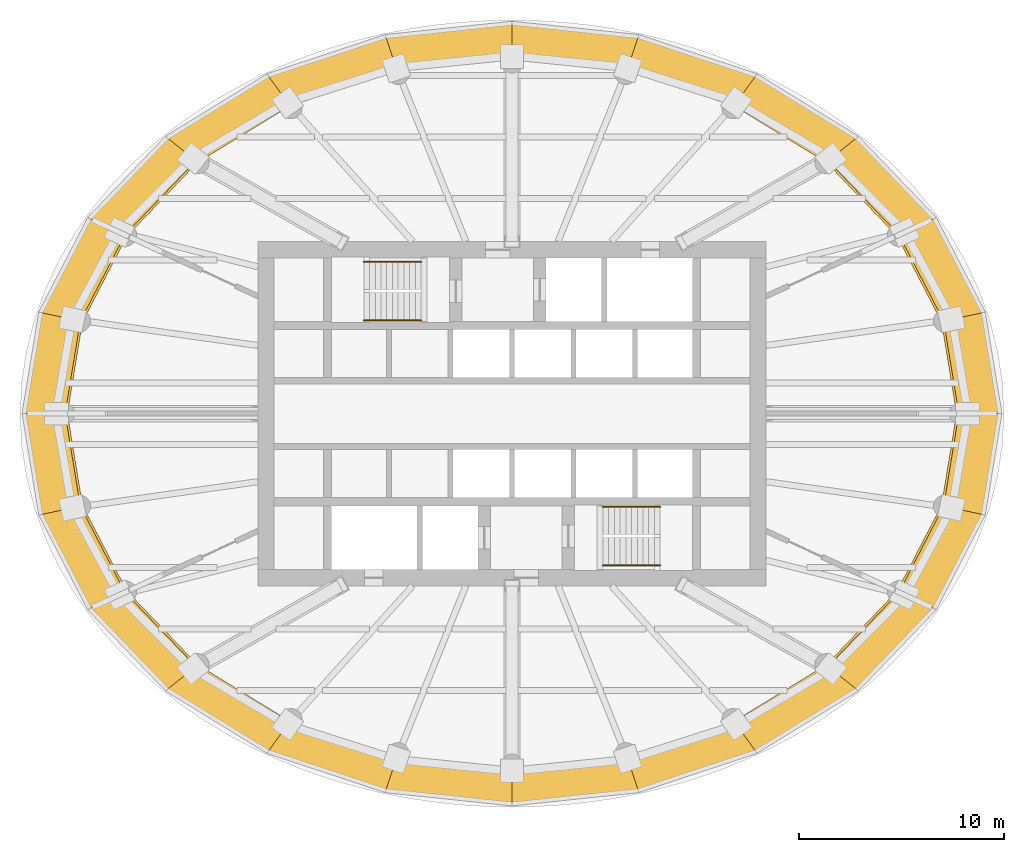
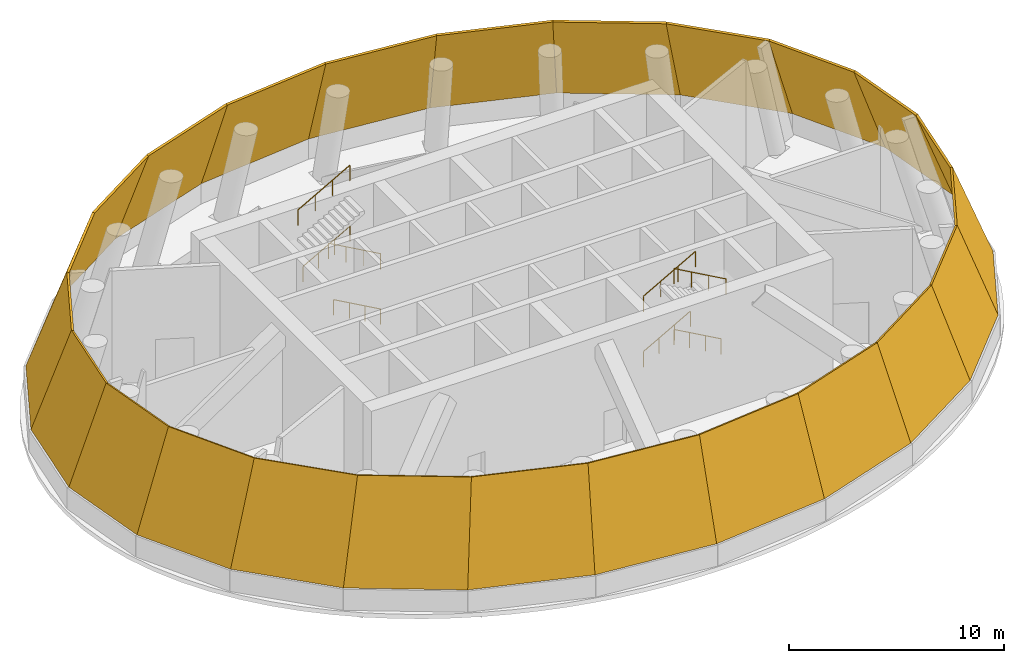
# One storey, part 6 of 6: 24 shading devices, 8 railings.
"""IFC4 building model written with IfcOpenShell, lengths in metres."""

import ifcopenshell
import ifcopenshell.guid

model = None  # the IFC model being written
_history = None  # IfcOwnerHistory: only IFC2X3 demands one
_inside = {}  # id of a spatial element -> (the spatial element, [elements in it])
_under = {}  # id of a project, library or spatial element -> (it, [spatial elements below it])
_declared = {}  # id of a project -> (the project, [libraries it declares])
_typed = {}  # id of a type object -> (the type object, [elements of that type])
_made_of = {}  # id of a material, layer set ... -> (it, [elements and type objects made of it])


def new_model(schema):
    """Start an empty IFC model of exactly this schema.

    Asked for "IFC4X3", IfcOpenShell would pick the latest addendum, in which some entities
    have other attributes; the version numbers below select the first issue.
    IFC2X3 requires an IfcOwnerHistory on every rooted entity: one is made here for all.
    """
    global model, _history
    if schema == "IFC4X3":
        model = ifcopenshell.file(schema_version=(4, 3, 0, 0))
    else:
        model = ifcopenshell.file(schema=schema)
    _inside.clear()
    _under.clear()
    _declared.clear()
    _typed.clear()
    _made_of.clear()
    _history = None
    if model.schema == "IFC2X3":
        org = make("IfcOrganization", Name="unknown")
        user = make(
            "IfcPersonAndOrganization",
            ThePerson=make("IfcPerson", FamilyName="unknown"),
            TheOrganization=org,
        )
        app = make(
            "IfcApplication",
            ApplicationDeveloper=org,
            Version="unknown",
            ApplicationFullName="unknown",
            ApplicationIdentifier="unknown",
        )
        _history = make(
            "IfcOwnerHistory",
            OwningUser=user,
            OwningApplication=app,
            ChangeAction="ADDED",
            CreationDate=0,
        )
    return model


def make(cls, **values):
    """One entity of the class cls with the attributes given. An attribute that is None is left unset."""
    return model.create_entity(
        cls, **{name: value for name, value in values.items() if value is not None}
    )


def rooted(cls, **values):
    """An entity with a GlobalId (a new one), such as an element, a storey or a relation."""
    return make(cls, GlobalId=ifcopenshell.guid.new(), OwnerHistory=_history, **values)


def si_unit(unit_type, name, prefix=None):
    """IfcSIUnit, for example si_unit("LENGTHUNIT", "METRE", prefix="MILLI")."""
    return make("IfcSIUnit", UnitType=unit_type, Prefix=prefix, Name=name)


def assignment(units):
    """IfcUnitAssignment: the units of a project."""
    return None if units is None else make("IfcUnitAssignment", Units=units)


def point(xyz):
    """IfcCartesianPoint."""
    return None if xyz is None else make("IfcCartesianPoint", Coordinates=xyz)


def direction(xyz):
    """IfcDirection."""
    return None if xyz is None else make("IfcDirection", DirectionRatios=xyz)


def frame(location, z_axis=None, x_axis=None):
    """IfcAxis2Placement3D, a coordinate frame: its origin and axes. An axis left out is left unset."""
    return make(
        "IfcAxis2Placement3D",
        Location=point(location),
        Axis=direction(z_axis),
        RefDirection=direction(x_axis),
    )


def frame_2d(location, x_axis=None):
    """IfcAxis2Placement2D, a coordinate frame in the plane: its origin and x axis."""
    return make(
        "IfcAxis2Placement2D", Location=point(location), RefDirection=direction(x_axis)
    )


def origin():
    """The frame at (0, 0, 0) with its axes left unset."""
    return frame((0.0, 0.0, 0.0))


def origin_2d():
    """The frame at (0, 0) in the plane with its x axis left unset."""
    return frame_2d((0.0, 0.0))


def place(relative_to, where):
    """IfcLocalPlacement: puts the frame where relative to a parent placement (None: the world)."""
    return make(
        "IfcLocalPlacement", PlacementRelTo=relative_to, RelativePlacement=where
    )


def context(
    kind, dimensions, precision=None, world=None, true_north=None, identifier=None
):
    """IfcGeometricRepresentationContext, for example the 3D "Model" context."""
    return make(
        "IfcGeometricRepresentationContext",
        ContextIdentifier=identifier,
        ContextType=kind,
        CoordinateSpaceDimension=dimensions,
        Precision=precision,
        WorldCoordinateSystem=world,
        TrueNorth=true_north,
    )


def subcontext(parent, identifier, kind, view, scale=None):
    """IfcGeometricRepresentationSubContext, for example "Body" below "Model"."""
    return make(
        "IfcGeometricRepresentationSubContext",
        ContextIdentifier=identifier,
        ContextType=kind,
        ParentContext=parent,
        TargetScale=scale,
        TargetView=view,
    )


def project(units=None, contexts=None):
    """IfcProject with its units and contexts."""
    return rooted(
        "IfcProject",
        Name="project",
        RepresentationContexts=contexts,
        UnitsInContext=assignment(units),
    )


def spatial(cls, under=None, at=None, **own):
    """A site, building, storey or space (cls), placed at a placement, below another one or the project."""
    s = rooted(cls, ObjectPlacement=at, **own)
    if under is not None:
        _under.setdefault(under.id(), (under, []))[1].append(s)
    return s


def polyline(points):
    """IfcPolyline through the points."""
    return make("IfcPolyline", Points=[point(p) for p in points])


def profile(cls, at=None, kind="AREA", **sizes):
    """A parametric profile (cls). Its sizes go by their IFC names, for example OverallWidth=200.0."""
    return make(cls, ProfileType=kind, Position=at, **sizes)


def circle(**sizes):
    """IfcCircleProfileDef."""
    return profile("IfcCircleProfileDef", **sizes)


def outline(outer, holes=None, kind="AREA"):
    """IfcArbitraryClosedProfileDef: a profile drawn as a closed curve; with holes, ...WithVoids."""
    if holes is None:
        return make("IfcArbitraryClosedProfileDef", ProfileType=kind, OuterCurve=outer)
    return make(
        "IfcArbitraryProfileDefWithVoids",
        ProfileType=kind,
        OuterCurve=outer,
        InnerCurves=holes,
    )


def extrude(swept, where, along, depth):
    """IfcExtrudedAreaSolid: the profile swept, set in the frame where, extruded along a direction by depth."""
    return make(
        "IfcExtrudedAreaSolid",
        SweptArea=swept,
        Position=where,
        ExtrudedDirection=direction(along),
        Depth=depth,
    )


def shape(context_of_items, identifier, shape_type, items):
    """IfcShapeRepresentation: the items that make up one representation, for example the "Body"."""
    return make(
        "IfcShapeRepresentation",
        ContextOfItems=context_of_items,
        RepresentationIdentifier=identifier,
        RepresentationType=shape_type,
        Items=items,
    )


def material(Name=None, Category=None):
    """IfcMaterial."""
    return make("IfcMaterial", Name=Name, Category=Category)


def layer(
    of_material, thickness, ventilated=None, Name=None, Category=None, Priority=None
):
    """IfcMaterialLayer: one layer of a wall or slab, of a material (None: an air gap)."""
    return make(
        "IfcMaterialLayer",
        Material=of_material,
        LayerThickness=thickness,
        IsVentilated=ventilated,
        Name=Name,
        Category=Category,
        Priority=Priority,
    )


def layer_set(layers, Name=None):
    """IfcMaterialLayerSet."""
    return make("IfcMaterialLayerSet", MaterialLayers=layers, LayerSetName=Name)


def made_of(thing, what):
    """Note that an element or type object is made of a material, layer set ...; save() writes the relation."""
    if what is not None:
        _made_of.setdefault(what.id(), (what, []))[1].append(thing)
    return thing


def type_object(cls, material=None, **own):
    """A type object (cls), such as IfcWallType, which elements share."""
    return made_of(rooted(cls, **own), material)


def element(
    cls,
    number,
    at=None,
    inside=None,
    cuts=None,
    type_object=None,
    material=None,
    context=None,
    identifier="Body",
    shape_type=None,
    held_by="IfcProductDefinitionShape",
    body=None,
    shapes=None,
    **own,
):
    """One element of the class cls, such as IfcWall. Its Tag is "e" and its number.

    at: its placement. inside: the storey or other place that contains it. cuts: it is an
    opening in that element (IfcRelVoidsElement). A single representation is given by context,
    identifier, shape_type and body (its items); several are given by shapes. held_by: the class
    of the entity that holds the representations. save() writes the other relations.
    """
    e = rooted(cls, Tag="e%d" % number, ObjectPlacement=at, **own)
    if body is not None:
        shapes = [shape(context, identifier, shape_type, body)]
    if shapes is not None:
        e.Representation = make(held_by, Representations=shapes)
    if inside is not None:
        _inside.setdefault(inside.id(), (inside, []))[1].append(e)
    if cuts is not None:
        rooted(
            "IfcRelVoidsElement", RelatingBuildingElement=cuts, RelatedOpeningElement=e
        )
    if type_object is not None:
        _typed.setdefault(type_object.id(), (type_object, []))[1].append(e)
    return made_of(e, material)


def aggregate(whole, parts):
    """IfcRelAggregates: a whole, such as a stair, and the parts it consists of."""
    return rooted("IfcRelAggregates", RelatingObject=whole, RelatedObjects=parts)


def save(model, path):
    """Write the relations noted so far, then the file.

    IfcRelAggregates (storeys below a building ...), IfcRelContainedInSpatialStructure (elements
    in a storey), IfcRelDefinesByType, IfcRelAssociatesMaterial and IfcRelDeclares: one each for
    every whole, place, type object, material and project.
    """
    for whole, parts in _under.values():
        aggregate(whole, parts)
    for where, things in _inside.values():
        rooted(
            "IfcRelContainedInSpatialStructure",
            RelatedElements=things,
            RelatingStructure=where,
        )
    for kind, things in _typed.values():
        rooted("IfcRelDefinesByType", RelatedObjects=things, RelatingType=kind)
    for what, things in _made_of.values():
        rooted("IfcRelAssociatesMaterial", RelatedObjects=things, RelatingMaterial=what)
    for by, libraries in _declared.values():
        rooted("IfcRelDeclares", RelatingContext=by, RelatedDefinitions=libraries)
    model.write(path)


model = new_model("IFC4")

# Units and contexts
model_context = context("Model", 3, precision=1e-05, world=origin(), true_north=direction((0.0, 1.0)))
body_context = subcontext(model_context, "Body", "Model", "MODEL_VIEW")
ifc_project = project(units=[si_unit("LENGTHUNIT", "METRE"), si_unit("AREAUNIT", "SQUARE_METRE"), si_unit("VOLUMEUNIT", "CUBIC_METRE"), si_unit("PLANEANGLEUNIT", "RADIAN"), si_unit("MASSUNIT", "GRAM", prefix="KILO")], contexts=[model_context])

# Site, building, storey
site_placement = place(None, origin())
site = spatial("IfcSite", under=ifc_project, at=site_placement, CompositionType="ELEMENT")
building_placement = place(site_placement, origin())
building = spatial("IfcBuilding", under=site, at=building_placement, Name="Hankou Lantern Tower", CompositionType="ELEMENT")
storey_placement = place(building_placement, frame((0.0, 0.0, 186.300048828125)))
storey = spatial("IfcBuildingStorey", under=building, at=storey_placement, Name="L50", CompositionType="ELEMENT", Elevation=186.300048828125)

# Railings
ifc_material_1 = material(Name="Steel handrail", Category="steel")
railing_type = type_object("IfcRailingType", Name="HR1 STAIR HANDRAIL", PredefinedType="HANDRAIL", material=ifc_material_1)
railing_1_placement = place(storey_placement, frame((-4.429931640625, 4.550048828125, 0.89990234375)))
element("IfcRailing", 1, at=railing_1_placement, inside=storey, type_object=railing_type, Name="Handrail stair STA L50 flight 1", PredefinedType="HANDRAIL", context=body_context, shape_type="SweptSolid", body=[
    extrude(circle(Radius=0.02392578125, at=origin_2d()), frame((0.0, 0.0, 0.8759765625), z_axis=(-0.872048945198, 0.0, 0.489418672692), x_axis=(0.0, -1.0, 0.0)), (0.0, 0.0, 1.0), 2.8896484375),
    extrude(circle(Radius=0.02099609375, at=origin_2d()), origin(), (0.0, 0.0, 1.0), 0.851806640625),
    extrude(circle(Radius=0.02099609375, at=origin_2d()), frame((-0.840087890625, 0.0, 0.471435546875)), (0.0, 0.0, 1.0), 0.851806640625),
    extrude(circle(Radius=0.02099609375, at=origin_2d()), frame((-1.679931640625, 0.0, 0.94287109375)), (0.0, 0.0, 1.0), 0.851806640625),
    extrude(circle(Radius=0.02099609375, at=origin_2d()), frame((-2.52001953125, 0.0, 1.414306640625)), (0.0, 0.0, 1.0), 0.851806640625),
])
railing_2_placement = place(storey_placement, frame((-6.949951171875, 7.39990234375, 2.471435546875)))
element("IfcRailing", 2, at=railing_2_placement, inside=storey, type_object=railing_type, Name="Handrail stair STA L50 flight 2", PredefinedType="HANDRAIL", context=body_context, shape_type="SweptSolid", body=[
    extrude(circle(Radius=0.02392578125, at=origin_2d()), frame((0.0, 0.0, 0.8759765625), z_axis=(0.872048945198, 0.0, 0.489418672692), x_axis=(0.0, 1.0, 0.0)), (0.0, 0.0, 1.0), 2.8896484375),
    extrude(circle(Radius=0.02099609375, at=origin_2d()), origin(), (0.0, 0.0, 1.0), 0.851806640625),
    extrude(circle(Radius=0.02099609375, at=origin_2d()), frame((0.840087890625, 0.0, 0.471435546875)), (0.0, 0.0, 1.0), 0.851806640625),
    extrude(circle(Radius=0.02099609375, at=origin_2d()), frame((1.679931640625, 0.0, 0.94287109375)), (0.0, 0.0, 1.0), 0.851806640625),
    extrude(circle(Radius=0.02099609375, at=origin_2d()), frame((2.52001953125, 0.0, 1.414306640625)), (0.0, 0.0, 1.0), 0.851806640625),
])
railing_3_placement = place(storey_placement, frame((-4.429931640625, 4.550048828125, 4.042724609375)))
element("IfcRailing", 3, at=railing_3_placement, inside=storey, type_object=railing_type, Name="Handrail stair STA L50 flight 3", PredefinedType="HANDRAIL", context=body_context, shape_type="SweptSolid", body=[
    extrude(circle(Radius=0.02392578125, at=origin_2d()), frame((0.0, 0.0, 0.8759765625), z_axis=(-0.872040151574, 0.0, 0.489434340891), x_axis=(0.0, -1.0, 0.0)), (0.0, 0.0, 1.0), 3.2109375),
    extrude(circle(Radius=0.02099609375, at=origin_2d()), origin(), (0.0, 0.0, 1.0), 0.851806640625),
    extrude(circle(Radius=0.02099609375, at=origin_2d()), frame((-0.933349609375, 0.0, 0.52392578125)), (0.0, 0.0, 1.0), 0.851806640625),
    extrude(circle(Radius=0.02099609375, at=origin_2d()), frame((-1.86669921875, 0.0, 1.047607421875)), (0.0, 0.0, 1.0), 0.851806640625),
    extrude(circle(Radius=0.02099609375, at=origin_2d()), frame((-2.800048828125, 0.0, 1.571533203125)), (0.0, 0.0, 1.0), 0.851806640625),
])
railing_4_placement = place(storey_placement, frame((-7.22998046875, 7.39990234375, 5.771484375)))
element("IfcRailing", 4, at=railing_4_placement, inside=storey, type_object=railing_type, Name="Handrail stair STA L50 flight 4", PredefinedType="HANDRAIL", context=body_context, shape_type="SweptSolid", body=[
    extrude(circle(Radius=0.02392578125, at=origin_2d()), frame((0.0, 0.0, 0.8759765625), z_axis=(0.872072602893, 0.0, 0.489376516891), x_axis=(0.0, 1.0, 0.0)), (0.0, 0.0, 1.0), 3.210693359375),
    extrude(circle(Radius=0.02099609375, at=origin_2d()), origin(), (0.0, 0.0, 1.0), 0.851806640625),
    extrude(circle(Radius=0.02099609375, at=origin_2d()), frame((0.933349609375, 0.0, 0.523681640625)), (0.0, 0.0, 1.0), 0.851806640625),
    extrude(circle(Radius=0.02099609375, at=origin_2d()), frame((1.86669921875, 0.0, 1.047607421875)), (0.0, 0.0, 1.0), 0.851806640625),
    extrude(circle(Radius=0.02099609375, at=origin_2d()), frame((2.800048828125, 0.0, 1.5712890625)), (0.0, 0.0, 1.0), 0.851806640625),
])
railing_5_placement = place(storey_placement, frame((4.429931640625, -4.550048828125, 0.89990234375)))
element("IfcRailing", 5, at=railing_5_placement, inside=storey, type_object=railing_type, Name="Handrail stair STB L50 flight 1", PredefinedType="HANDRAIL", context=body_context, shape_type="SweptSolid", body=[
    extrude(circle(Radius=0.02392578125, at=origin_2d()), frame((0.0, 0.0, 0.8759765625), z_axis=(0.872048945198, 0.0, 0.489418672692), x_axis=(0.0, 1.0, 0.0)), (0.0, 0.0, 1.0), 2.8896484375),
    extrude(circle(Radius=0.02099609375, at=origin_2d()), origin(), (0.0, 0.0, 1.0), 0.851806640625),
    extrude(circle(Radius=0.02099609375, at=origin_2d()), frame((0.840087890625, 0.0, 0.471435546875)), (0.0, 0.0, 1.0), 0.851806640625),
    extrude(circle(Radius=0.02099609375, at=origin_2d()), frame((1.679931640625, 0.0, 0.94287109375)), (0.0, 0.0, 1.0), 0.851806640625),
    extrude(circle(Radius=0.02099609375, at=origin_2d()), frame((2.52001953125, 0.0, 1.414306640625)), (0.0, 0.0, 1.0), 0.851806640625),
])
railing_6_placement = place(storey_placement, frame((6.949951171875, -7.39990234375, 2.471435546875)))
element("IfcRailing", 6, at=railing_6_placement, inside=storey, type_object=railing_type, Name="Handrail stair STB L50 flight 2", PredefinedType="HANDRAIL", context=body_context, shape_type="SweptSolid", body=[
    extrude(circle(Radius=0.02392578125, at=origin_2d()), frame((0.0, 0.0, 0.8759765625), z_axis=(-0.872048945198, 0.0, 0.489418672692), x_axis=(0.0, -1.0, 0.0)), (0.0, 0.0, 1.0), 2.8896484375),
    extrude(circle(Radius=0.02099609375, at=origin_2d()), origin(), (0.0, 0.0, 1.0), 0.851806640625),
    extrude(circle(Radius=0.02099609375, at=origin_2d()), frame((-0.840087890625, 0.0, 0.471435546875)), (0.0, 0.0, 1.0), 0.851806640625),
    extrude(circle(Radius=0.02099609375, at=origin_2d()), frame((-1.679931640625, 0.0, 0.94287109375)), (0.0, 0.0, 1.0), 0.851806640625),
    extrude(circle(Radius=0.02099609375, at=origin_2d()), frame((-2.52001953125, 0.0, 1.414306640625)), (0.0, 0.0, 1.0), 0.851806640625),
])
railing_7_placement = place(storey_placement, frame((4.429931640625, -4.550048828125, 4.042724609375)))
element("IfcRailing", 7, at=railing_7_placement, inside=storey, type_object=railing_type, Name="Handrail stair STB L50 flight 3", PredefinedType="HANDRAIL", context=body_context, shape_type="SweptSolid", body=[
    extrude(circle(Radius=0.02392578125, at=origin_2d()), frame((0.0, 0.0, 0.8759765625), z_axis=(0.872040151574, 0.0, 0.489434340891), x_axis=(0.0, 1.0, 0.0)), (0.0, 0.0, 1.0), 3.2109375),
    extrude(circle(Radius=0.02099609375, at=origin_2d()), origin(), (0.0, 0.0, 1.0), 0.851806640625),
    extrude(circle(Radius=0.02099609375, at=origin_2d()), frame((0.933349609375, 0.0, 0.52392578125)), (0.0, 0.0, 1.0), 0.851806640625),
    extrude(circle(Radius=0.02099609375, at=origin_2d()), frame((1.86669921875, 0.0, 1.047607421875)), (0.0, 0.0, 1.0), 0.851806640625),
    extrude(circle(Radius=0.02099609375, at=origin_2d()), frame((2.800048828125, 0.0, 1.571533203125)), (0.0, 0.0, 1.0), 0.851806640625),
])
railing_8_placement = place(storey_placement, frame((7.22998046875, -7.39990234375, 5.771484375)))
element("IfcRailing", 8, at=railing_8_placement, inside=storey, type_object=railing_type, Name="Handrail stair STB L50 flight 4", PredefinedType="HANDRAIL", context=body_context, shape_type="SweptSolid", body=[
    extrude(circle(Radius=0.02392578125, at=origin_2d()), frame((0.0, 0.0, 0.8759765625), z_axis=(-0.872072602893, 0.0, 0.489376516891), x_axis=(0.0, -1.0, 0.0)), (0.0, 0.0, 1.0), 3.210693359375),
    extrude(circle(Radius=0.02099609375, at=origin_2d()), origin(), (0.0, 0.0, 1.0), 0.851806640625),
    extrude(circle(Radius=0.02099609375, at=origin_2d()), frame((-0.933349609375, 0.0, 0.523681640625)), (0.0, 0.0, 1.0), 0.851806640625),
    extrude(circle(Radius=0.02099609375, at=origin_2d()), frame((-1.86669921875, 0.0, 1.047607421875)), (0.0, 0.0, 1.0), 0.851806640625),
    extrude(circle(Radius=0.02099609375, at=origin_2d()), frame((-2.800048828125, 0.0, 1.5712890625)), (0.0, 0.0, 1.0), 0.851806640625),
])

# Shading devices
ifc_material_2 = material(Name="Aluminium, black anodised", Category="aluminium")
ifc_layer = layer(ifc_material_2, 0.1201171875)
ifc_layer_set = layer_set([ifc_layer], Name="Aluminium, black anodised")
shading_device_type = type_object("IfcShadingDeviceType", Name="LV2 EAVE LOUVRE PANEL", PredefinedType="USERDEFINED", material=ifc_layer_set)
shading_device_1_placement = place(storey_placement, frame((23.800048828125, 0.0, 1.199951171875), z_axis=(0.922967883036, 0.151902843655, 0.353632313249), x_axis=(-0.162395765691, 0.986725704178, -1.030163e-06)))
element("IfcShadingDevice", 9, at=shading_device_1_placement, inside=storey, type_object=shading_device_type, Name="Eave louvre R01 L50", ObjectType="EAVE LOUVRE", PredefinedType="USERDEFINED", context=body_context, shape_type="SweptSolid", body=[
    extrude(outline(polyline([(0.0, 0.0), (4.994271746203182, 0.0), (4.899430162637222, 5.580566791720942), (0.3247861539615836, 5.580556253230183), (0.0, 0.0)])), origin(), (0.0, 0.0, -1.0), 0.1201171875),
])
shading_device_2_placement = place(storey_placement, frame((22.989013671875, 4.927978515625, 1.199951171875), z_axis=(0.834162344183, 0.431907072734, 0.342971520786), x_axis=(-0.459796482894, 0.888024320788, 2.703169e-06)))
element("IfcShadingDevice", 10, at=shading_device_2_placement, inside=storey, type_object=shading_device_type, Name="Eave louvre R02 L50", ObjectType="EAVE LOUVRE", PredefinedType="USERDEFINED", context=body_context, shape_type="SweptSolid", body=[
    extrude(outline(polyline([(0.0, 0.0), (5.171095555812081, 0.0), (5.256983824095161, 5.557012636816433), (0.5205903607283994, 5.557041147742123), (0.0, 0.0)])), origin(), (0.0, 0.0, -1.0), 0.1201171875),
])
shading_device_3_placement = place(storey_placement, frame((20.611328125, 9.52001953125, 1.199951171875), z_axis=(0.682129300754, 0.654246353604, 0.326590455846), x_axis=(-0.692203208967, 0.721702651714, 2.335164e-06)))
element("IfcShadingDevice", 11, at=shading_device_3_placement, inside=storey, type_object=shading_device_type, Name="Eave louvre R03 L50", ObjectType="EAVE LOUVRE", PredefinedType="USERDEFINED", context=body_context, shape_type="SweptSolid", body=[
    extrude(outline(polyline([(0.0, 0.0), (5.464002281199618, 0.0), (5.626336467342936, 5.522794765802436), (0.6214648200423147, 5.522820630615368), (0.0, 0.0)])), origin(), (0.0, 0.0, -1.0), 0.1201171875),
])
shading_device_4_placement = place(storey_placement, frame((16.8291015625, 13.46337890625, 1.199951171875), z_axis=(0.497305452932, 0.810181686302, 0.310311007967), x_axis=(-0.852253115732, 0.523129646193, 2.02459e-07)))
element("IfcShadingDevice", 12, at=shading_device_4_placement, inside=storey, type_object=shading_device_type, Name="Eave louvre R04 L50", ObjectType="EAVE LOUVRE", PredefinedType="USERDEFINED", context=body_context, shape_type="SweptSolid", body=[
    extrude(outline(polyline([(0.0, 0.0), (5.78372463669131, 2.220446049250313e-16), (5.911183706190757, 5.491033888528267), (0.6132987291594653, 5.491036248604545), (0.0, 0.0)])), origin(), (0.0, 0.0, -1.0), 0.1201171875),
])
shading_device_5_placement = place(storey_placement, frame((11.89990234375, 16.489013671875, 1.199951171875), z_axis=(0.300258039963, 0.906104620364, 0.298026049855), x_axis=(-0.949240133604, 0.31455233071, -1.134909e-06)))
element("IfcShadingDevice", 13, at=shading_device_5_placement, inside=storey, type_object=shading_device_type, Name="Eave louvre R05 L50", ObjectType="EAVE LOUVRE", PredefinedType="USERDEFINED", context=body_context, shape_type="SweptSolid", body=[
    extrude(outline(polyline([(0.0, 0.0), (6.046938962332483, 0.0), (6.052126600114922, 5.468477566552363), (0.5134225695733553, 5.468463791952927), (0.0, 0.0)])), origin(), (0.0, 0.0, -1.0), 0.1201171875),
])
shading_device_6_placement = place(storey_placement, frame((6.159912109375, 18.39111328125, 1.199951171875), z_axis=(0.100201264118, 0.951282307538, 0.291584769895), x_axis=(-0.994498115003, 0.104754471224, -3.795894e-06)))
element("IfcShadingDevice", 14, at=shading_device_6_placement, inside=storey, type_object=shading_device_type, Name="Eave louvre R06 L50", ObjectType="EAVE LOUVRE", PredefinedType="USERDEFINED", context=body_context, shape_type="SweptSolid", body=[
    extrude(outline(polyline([(0.0, 0.0), (6.193998858434975, 0.0), (6.0263616600938095, 5.457133351334789), (0.3528220314830928, 5.457086256932421), (0.0, 0.0)])), origin(), (0.0, 0.0, -1.0), 0.1201171875),
])
shading_device_7_placement = place(storey_placement, frame((0.0, 19.0400390625, 1.199951171875), z_axis=(-0.100201264118, 0.951282307538, 0.291584769895), x_axis=(-0.994498115003, -0.104754471224, 3.795894e-06)))
element("IfcShadingDevice", 15, at=shading_device_7_placement, inside=storey, type_object=shading_device_type, Name="Eave louvre R07 L50", ObjectType="EAVE LOUVRE", PredefinedType="USERDEFINED", context=body_context, shape_type="SweptSolid", body=[
    extrude(outline(polyline([(0.0, 0.0), (6.193998858434975, 0.0), (5.841176826951882, 5.457086256932421), (0.167637198341166, 5.457133351334789), (0.0, 0.0)])), origin(), (0.0, 0.0, -1.0), 0.1201171875),
])
shading_device_8_placement = place(storey_placement, frame((-6.159912109375, 18.39111328125, 1.199951171875), z_axis=(-0.300258039963, 0.906104620364, 0.298026049855), x_axis=(-0.949240133604, -0.31455233071, 1.134909e-06)))
element("IfcShadingDevice", 16, at=shading_device_8_placement, inside=storey, type_object=shading_device_type, Name="Eave louvre R08 L50", ObjectType="EAVE LOUVRE", PredefinedType="USERDEFINED", context=body_context, shape_type="SweptSolid", body=[
    extrude(outline(polyline([(0.0, 0.0), (6.046938962332483, 0.0), (5.533516392759127, 5.468463791952927), (-0.005187637782438499, 5.468477566552363), (0.0, 0.0)])), origin(), (0.0, 0.0, -1.0), 0.1201171875),
])
shading_device_9_placement = place(storey_placement, frame((-11.89990234375, 16.489013671875, 1.199951171875), z_axis=(-0.497305452932, 0.810181686302, 0.310311007967), x_axis=(-0.852253115732, -0.523129646193, -2.02459e-07)))
element("IfcShadingDevice", 17, at=shading_device_9_placement, inside=storey, type_object=shading_device_type, Name="Eave louvre R09 L50", ObjectType="EAVE LOUVRE", PredefinedType="USERDEFINED", context=body_context, shape_type="SweptSolid", body=[
    extrude(outline(polyline([(0.0, 0.0), (5.78372463669131, -2.220446049250313e-16), (5.170425907531845, 5.491036248604545), (-0.1274590694994473, 5.491033888528266), (0.0, 0.0)])), origin(), (0.0, 0.0, -1.0), 0.1201171875),
])
shading_device_10_placement = place(storey_placement, frame((-16.8291015625, 13.46337890625, 1.199951171875), z_axis=(-0.682129300754, 0.654246353604, 0.326590455846), x_axis=(-0.692203208967, -0.721702651714, -2.335164e-06)))
element("IfcShadingDevice", 18, at=shading_device_10_placement, inside=storey, type_object=shading_device_type, Name="Eave louvre R10 L50", ObjectType="EAVE LOUVRE", PredefinedType="USERDEFINED", context=body_context, shape_type="SweptSolid", body=[
    extrude(outline(polyline([(0.0, 0.0), (5.464002281199618, 0.0), (4.8425374611573035, 5.522820630615368), (-0.16233418614331854, 5.522794765802436), (0.0, 0.0)])), origin(), (0.0, 0.0, -1.0), 0.1201171875),
])
shading_device_11_placement = place(storey_placement, frame((-20.611328125, 9.52001953125, 1.199951171875), z_axis=(-0.834162344183, 0.431907072734, 0.342971520786), x_axis=(-0.459796482894, -0.888024320788, -2.703169e-06)))
element("IfcShadingDevice", 19, at=shading_device_11_placement, inside=storey, type_object=shading_device_type, Name="Eave louvre R11 L50", ObjectType="EAVE LOUVRE", PredefinedType="USERDEFINED", context=body_context, shape_type="SweptSolid", body=[
    extrude(outline(polyline([(0.0, 0.0), (5.171095555812081, 0.0), (4.6505051950836815, 5.557041147742123), (-0.08588826828308098, 5.557012636816433), (0.0, 0.0)])), origin(), (0.0, 0.0, -1.0), 0.1201171875),
])
shading_device_12_placement = place(storey_placement, frame((-22.989013671875, 4.927978515625, 1.199951171875), z_axis=(-0.922967883036, 0.151902843655, 0.353632313249), x_axis=(-0.162395765691, -0.986725704178, 1.030163e-06)))
element("IfcShadingDevice", 20, at=shading_device_12_placement, inside=storey, type_object=shading_device_type, Name="Eave louvre R12 L50", ObjectType="EAVE LOUVRE", PredefinedType="USERDEFINED", context=body_context, shape_type="SweptSolid", body=[
    extrude(outline(polyline([(0.0, 0.0), (4.994271746203182, 0.0), (4.669485592241599, 5.580556253230183), (0.09484158356596037, 5.580566791720942), (0.0, 0.0)])), origin(), (0.0, 0.0, -1.0), 0.1201171875),
])
shading_device_13_placement = place(storey_placement, frame((-23.800048828125, 0.0, 1.199951171875), z_axis=(-0.922967883036, -0.151902843655, 0.353632313249), x_axis=(0.162395765691, -0.986725704178, -1.030163e-06)))
element("IfcShadingDevice", 21, at=shading_device_13_placement, inside=storey, type_object=shading_device_type, Name="Eave louvre R13 L50", ObjectType="EAVE LOUVRE", PredefinedType="USERDEFINED", context=body_context, shape_type="SweptSolid", body=[
    extrude(outline(polyline([(0.0, 0.0), (4.994271746203182, 0.0), (4.899430162637222, 5.580566791720942), (0.3247861539615836, 5.580556253230183), (0.0, 0.0)])), origin(), (0.0, 0.0, -1.0), 0.1201171875),
])
shading_device_14_placement = place(storey_placement, frame((-22.989013671875, -4.927978515625, 1.199951171875), z_axis=(-0.834162344183, -0.431907072734, 0.342971520786), x_axis=(0.459796482894, -0.888024320788, 2.703169e-06)))
element("IfcShadingDevice", 22, at=shading_device_14_placement, inside=storey, type_object=shading_device_type, Name="Eave louvre R14 L50", ObjectType="EAVE LOUVRE", PredefinedType="USERDEFINED", context=body_context, shape_type="SweptSolid", body=[
    extrude(outline(polyline([(0.0, 0.0), (5.171095555812081, 0.0), (5.256983824095161, 5.557012636816433), (0.5205903607283994, 5.557041147742123), (0.0, 0.0)])), origin(), (0.0, 0.0, -1.0), 0.1201171875),
])
shading_device_15_placement = place(storey_placement, frame((-20.611328125, -9.52001953125, 1.199951171875), z_axis=(-0.682129300754, -0.654246353604, 0.326590455846), x_axis=(0.692203208967, -0.721702651714, 2.335164e-06)))
element("IfcShadingDevice", 23, at=shading_device_15_placement, inside=storey, type_object=shading_device_type, Name="Eave louvre R15 L50", ObjectType="EAVE LOUVRE", PredefinedType="USERDEFINED", context=body_context, shape_type="SweptSolid", body=[
    extrude(outline(polyline([(0.0, 0.0), (5.464002281199618, 0.0), (5.626336467342936, 5.522794765802436), (0.6214648200423147, 5.522820630615368), (0.0, 0.0)])), origin(), (0.0, 0.0, -1.0), 0.1201171875),
])
shading_device_16_placement = place(storey_placement, frame((-16.8291015625, -13.46337890625, 1.199951171875), z_axis=(-0.497305452932, -0.810181686302, 0.310311007967), x_axis=(0.852253115732, -0.523129646193, 2.02459e-07)))
element("IfcShadingDevice", 24, at=shading_device_16_placement, inside=storey, type_object=shading_device_type, Name="Eave louvre R16 L50", ObjectType="EAVE LOUVRE", PredefinedType="USERDEFINED", context=body_context, shape_type="SweptSolid", body=[
    extrude(outline(polyline([(0.0, 0.0), (5.78372463669131, 2.220446049250313e-16), (5.911183706190757, 5.491033888528267), (0.6132987291594653, 5.491036248604545), (0.0, 0.0)])), origin(), (0.0, 0.0, -1.0), 0.1201171875),
])
shading_device_17_placement = place(storey_placement, frame((-11.89990234375, -16.489013671875, 1.199951171875), z_axis=(-0.300258039963, -0.906104620364, 0.298026049855), x_axis=(0.949240133604, -0.31455233071, -1.134909e-06)))
element("IfcShadingDevice", 25, at=shading_device_17_placement, inside=storey, type_object=shading_device_type, Name="Eave louvre R17 L50", ObjectType="EAVE LOUVRE", PredefinedType="USERDEFINED", context=body_context, shape_type="SweptSolid", body=[
    extrude(outline(polyline([(0.0, 0.0), (6.046938962332483, 0.0), (6.052126600114922, 5.468477566552363), (0.5134225695733553, 5.468463791952927), (0.0, 0.0)])), origin(), (0.0, 0.0, -1.0), 0.1201171875),
])
shading_device_18_placement = place(storey_placement, frame((-6.159912109375, -18.39111328125, 1.199951171875), z_axis=(-0.100201264118, -0.951282307538, 0.291584769895), x_axis=(0.994498115003, -0.104754471224, -3.795894e-06)))
element("IfcShadingDevice", 26, at=shading_device_18_placement, inside=storey, type_object=shading_device_type, Name="Eave louvre R18 L50", ObjectType="EAVE LOUVRE", PredefinedType="USERDEFINED", context=body_context, shape_type="SweptSolid", body=[
    extrude(outline(polyline([(0.0, 0.0), (6.193998858434975, 0.0), (6.0263616600938095, 5.457133351334789), (0.3528220314830928, 5.457086256932421), (0.0, 0.0)])), origin(), (0.0, 0.0, -1.0), 0.1201171875),
])
shading_device_19_placement = place(storey_placement, frame((0.0, -19.0400390625, 1.199951171875), z_axis=(0.100201264118, -0.951282307538, 0.291584769895), x_axis=(0.994498115003, 0.104754471224, 3.795894e-06)))
element("IfcShadingDevice", 27, at=shading_device_19_placement, inside=storey, type_object=shading_device_type, Name="Eave louvre R19 L50", ObjectType="EAVE LOUVRE", PredefinedType="USERDEFINED", context=body_context, shape_type="SweptSolid", body=[
    extrude(outline(polyline([(0.0, 0.0), (6.193998858434975, 0.0), (5.841176826951882, 5.457086256932421), (0.167637198341166, 5.457133351334789), (0.0, 0.0)])), origin(), (0.0, 0.0, -1.0), 0.1201171875),
])
shading_device_20_placement = place(storey_placement, frame((6.159912109375, -18.39111328125, 1.199951171875), z_axis=(0.300258039963, -0.906104620364, 0.298026049855), x_axis=(0.949240133604, 0.31455233071, 1.134909e-06)))
element("IfcShadingDevice", 28, at=shading_device_20_placement, inside=storey, type_object=shading_device_type, Name="Eave louvre R20 L50", ObjectType="EAVE LOUVRE", PredefinedType="USERDEFINED", context=body_context, shape_type="SweptSolid", body=[
    extrude(outline(polyline([(0.0, 0.0), (6.046938962332483, 0.0), (5.533516392759127, 5.468463791952927), (-0.005187637782438499, 5.468477566552363), (0.0, 0.0)])), origin(), (0.0, 0.0, -1.0), 0.1201171875),
])
shading_device_21_placement = place(storey_placement, frame((11.89990234375, -16.489013671875, 1.199951171875), z_axis=(0.497305452932, -0.810181686302, 0.310311007967), x_axis=(0.852253115732, 0.523129646193, -2.02459e-07)))
element("IfcShadingDevice", 29, at=shading_device_21_placement, inside=storey, type_object=shading_device_type, Name="Eave louvre R21 L50", ObjectType="EAVE LOUVRE", PredefinedType="USERDEFINED", context=body_context, shape_type="SweptSolid", body=[
    extrude(outline(polyline([(0.0, 0.0), (5.78372463669131, -2.220446049250313e-16), (5.170425907531845, 5.491036248604545), (-0.1274590694994473, 5.491033888528266), (0.0, 0.0)])), origin(), (0.0, 0.0, -1.0), 0.1201171875),
])
shading_device_22_placement = place(storey_placement, frame((16.8291015625, -13.46337890625, 1.199951171875), z_axis=(0.682129300754, -0.654246353604, 0.326590455846), x_axis=(0.692203208967, 0.721702651714, -2.335164e-06)))
element("IfcShadingDevice", 30, at=shading_device_22_placement, inside=storey, type_object=shading_device_type, Name="Eave louvre R22 L50", ObjectType="EAVE LOUVRE", PredefinedType="USERDEFINED", context=body_context, shape_type="SweptSolid", body=[
    extrude(outline(polyline([(0.0, 0.0), (5.464002281199618, 0.0), (4.8425374611573035, 5.522820630615368), (-0.16233418614331854, 5.522794765802436), (0.0, 0.0)])), origin(), (0.0, 0.0, -1.0), 0.1201171875),
])
shading_device_23_placement = place(storey_placement, frame((20.611328125, -9.52001953125, 1.199951171875), z_axis=(0.834162344183, -0.431907072734, 0.342971520786), x_axis=(0.459796482894, 0.888024320788, -2.703169e-06)))
element("IfcShadingDevice", 31, at=shading_device_23_placement, inside=storey, type_object=shading_device_type, Name="Eave louvre R23 L50", ObjectType="EAVE LOUVRE", PredefinedType="USERDEFINED", context=body_context, shape_type="SweptSolid", body=[
    extrude(outline(polyline([(0.0, 0.0), (5.171095555812081, 0.0), (4.6505051950836815, 5.557041147742123), (-0.08588826828308098, 5.557012636816433), (0.0, 0.0)])), origin(), (0.0, 0.0, -1.0), 0.1201171875),
])
shading_device_24_placement = place(storey_placement, frame((22.989013671875, -4.927978515625, 1.199951171875), z_axis=(0.922967883036, -0.151902843655, 0.353632313249), x_axis=(0.162395765691, 0.986725704178, 1.030163e-06)))
element("IfcShadingDevice", 32, at=shading_device_24_placement, inside=storey, type_object=shading_device_type, Name="Eave louvre R24 L50", ObjectType="EAVE LOUVRE", PredefinedType="USERDEFINED", context=body_context, shape_type="SweptSolid", body=[
    extrude(outline(polyline([(0.0, 0.0), (4.994271746203182, 0.0), (4.669485592241599, 5.580556253230183), (0.09484158356596037, 5.580566791720942), (0.0, 0.0)])), origin(), (0.0, 0.0, -1.0), 0.1201171875),
])

save(model, "model.ifc")
